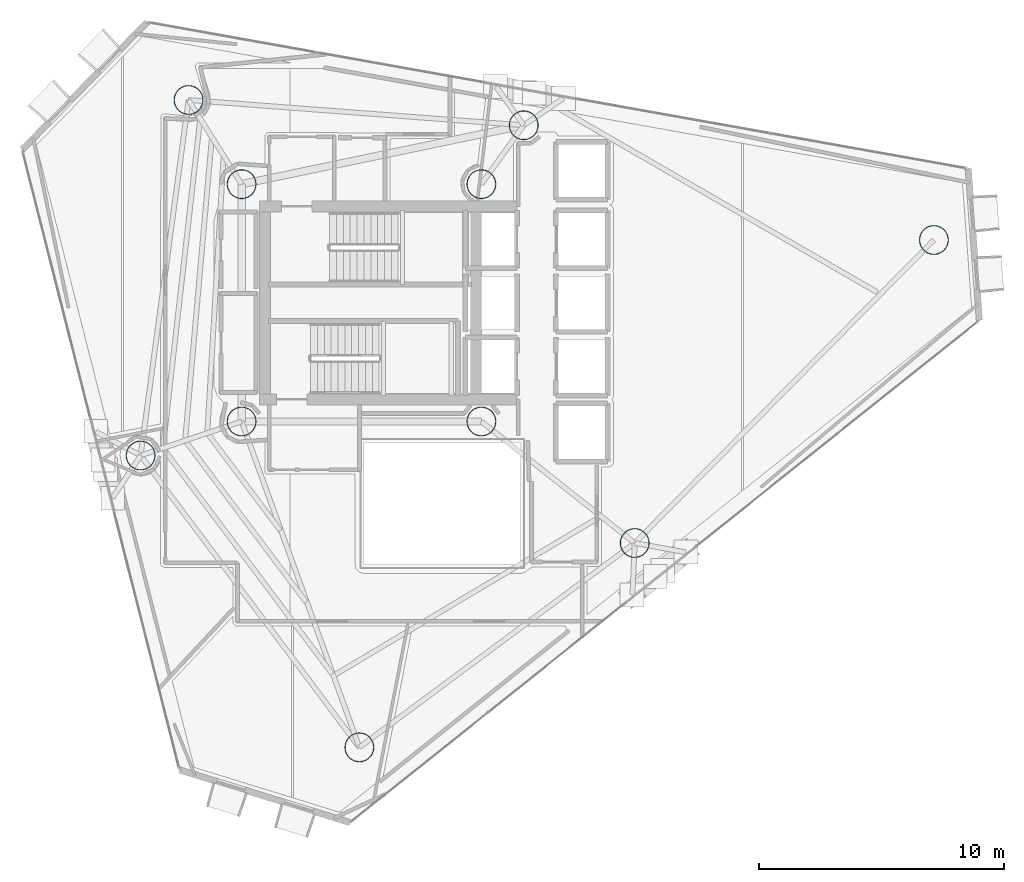
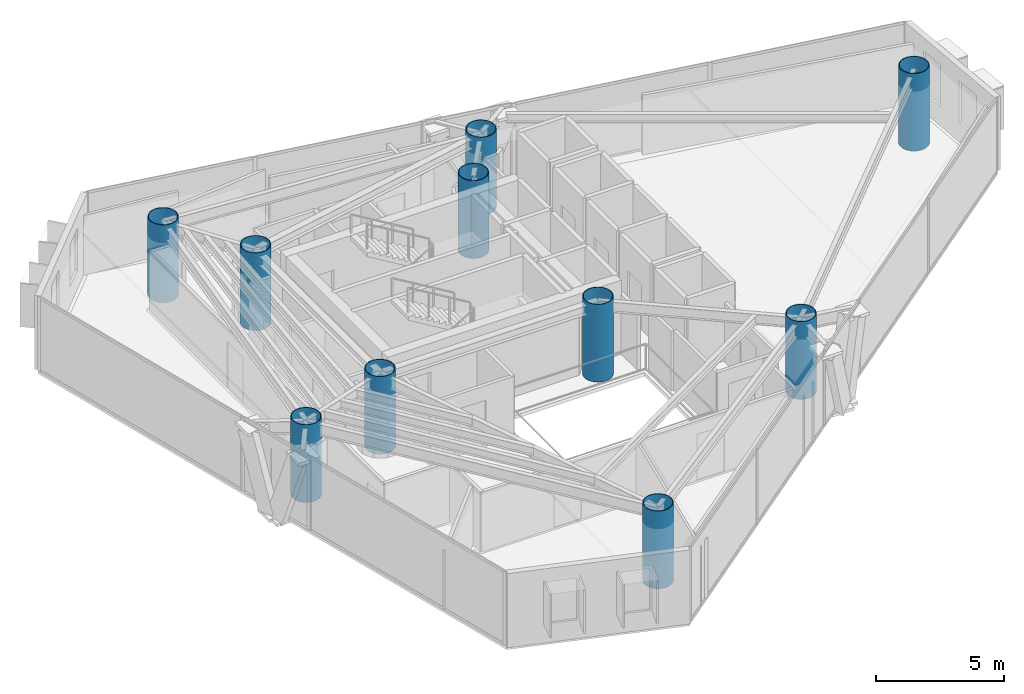
# One storey, part 1 of 22: 10 columns.
"""IFC4 building model written with IfcOpenShell, lengths in metres."""

from ifc_helpers import new_model, si_unit, direction, frame, origin, origin_2d, place, context, subcontext, project, spatial, hollow_circle, extrude, material, material_profile, profile_set, type_object, element, save


model = new_model("IFC4")

# Units and contexts
model_context = context("Model", 3, precision=1e-05, world=origin(), true_north=direction((0.0, 1.0)))
body_context = subcontext(model_context, "Body", "Model", "MODEL_VIEW")
ifc_project = project(units=[si_unit("LENGTHUNIT", "METRE"), si_unit("AREAUNIT", "SQUARE_METRE"), si_unit("VOLUMEUNIT", "CUBIC_METRE"), si_unit("PLANEANGLEUNIT", "RADIAN"), si_unit("MASSUNIT", "GRAM", prefix="KILO")], contexts=[model_context])

# Site, building, storey
site_placement = place(None, origin())
site = spatial("IfcSite", under=ifc_project, at=site_placement, CompositionType="ELEMENT")
building_placement = place(site_placement, origin())
building = spatial("IfcBuilding", under=site, at=building_placement, Name="Qianvela Tower", CompositionType="ELEMENT")
storey_placement = place(building_placement, frame((0.0, 0.0, 207.699951171875)))
storey = spatial("IfcBuildingStorey", under=building, at=storey_placement, Name="L53", CompositionType="ELEMENT", Elevation=207.699951171875)

# Columns
ifc_material = material(Name="Steel Q420GJC", Category="steel")
ifc_material_profile = material_profile(ifc_material, hollow_circle(Radius=0.60009765625, WallThickness=0.030029296875, at=origin_2d()), Name="CFT-1200x30")
ifc_profile_set = profile_set([ifc_material_profile], Name="Steel Q420GJC")
column_type = type_object("IfcColumnType", Name="COL-CFT-1200x30", PredefinedType="COLUMN", material=ifc_profile_set)
for number, where, z_axis, x_axis, name in (
    (1, (28.60009765625, 33.550048828125, 0.0), (0.0, 0.0, 1.0), (1.0, 0.0, 0.0), "L53 Core Corner Mega-Column CC-NW"),
    (2, (28.60009765625, 23.85009765625, 0.0), (0.0, 0.0, 1.0), (1.0, 0.0, 0.0), "L53 Core Corner Mega-Column CC-SW"),
    (3, (38.39990234375, 33.550048828125, 0.0), (0.0, 0.0, 1.0), (1.0, 0.0, 0.0), "L53 Core Corner Mega-Column CC-NE"),
    (4, (38.39990234375, 23.85009765625, 0.0), (0.0, 0.0, 1.0), (1.0, 0.0, 0.0), "L53 Core Corner Mega-Column CC-SE"),
    (5, (56.89697265625, 31.27001953125, 0.0), (0.0, 0.0, 1.0), (1.0, 0.0, 0.0), "L53 Zone Z5 CFT Mega-Column C1"),
    (6, (40.131103515625, 35.9580078125, 0.0), (0.0, 0.0, 1.0), (1.0, 0.0, 0.0), "L53 Zone Z5 CFT Mega-Column C2"),
    (7, (26.430908203125, 36.991943359375, 0.0), (0.0, 0.0, 1.0), (1.0, 0.0, 0.0), "L53 Zone Z5 CFT Mega-Column C3"),
    (8, (24.471923828125, 22.4599609375, 0.0), (0.0, 0.0, 1.0), (1.0, 0.0, 0.0), "L53 Zone Z5 CFT Mega-Column C4"),
    (9, (33.4130859375, 10.531005859375, 0.0), (0.0, 0.0, 1.0), (1.0, 0.0, 0.0), "L53 Zone Z5 CFT Mega-Column C5"),
    (10, (44.6669921875, 18.883056640625, 0.0), (0.0, 0.0, 1.0), (1.0, 0.0, 0.0), "L53 Zone Z5 CFT Mega-Column C6"),
):
    element("IfcColumn", number, at=place(storey_placement, frame(where, z_axis=z_axis, x_axis=x_axis)), inside=storey, type_object=column_type, Name=name, PredefinedType="COLUMN", context=body_context, shape_type="SweptSolid", body=[
        extrude(hollow_circle(Radius=0.60009765625, WallThickness=0.030029296875, at=origin_2d()), origin(), (0.0, 0.0, 1.0), 3.699951171875),
    ])

save(model, "model.ifc")
